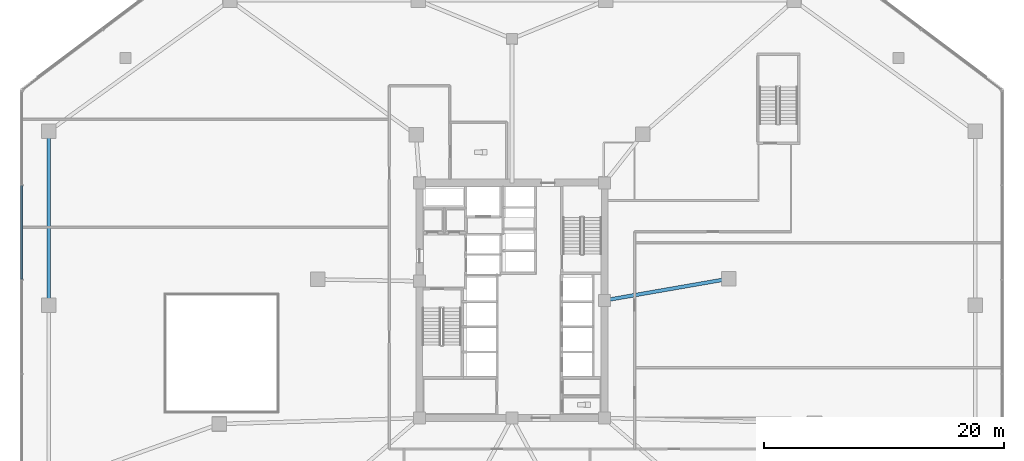
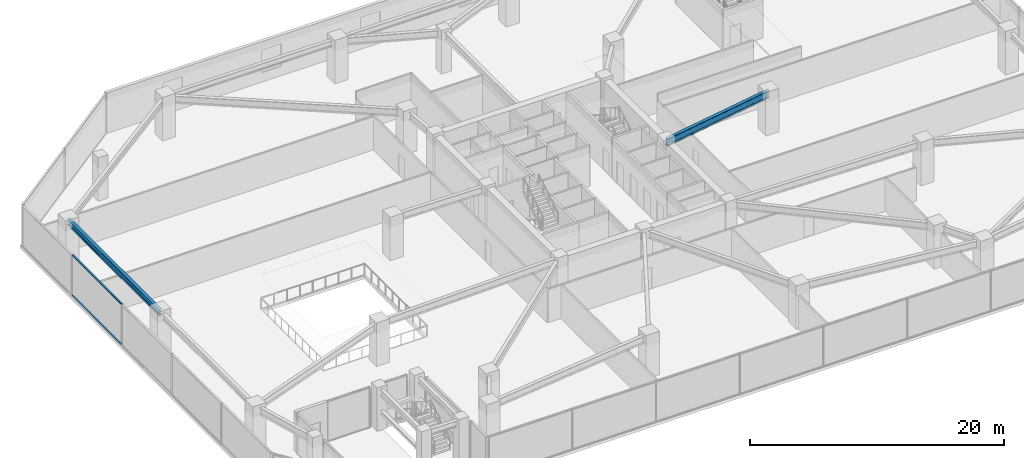
# One storey, part 5 of 22: 2 beams, 2 members, 1 element without a shape of its own.
"""IFC4 building model written with IfcOpenShell, lengths in metres."""

from ifc_helpers import new_model, si_unit, direction, frame, origin, origin_2d, place, context, subcontext, project, spatial, rectangle, i_section, extrude, material, material_profile, profile_set, type_object, element, aggregate, save


model = new_model("IFC4")

# Units and contexts
model_context = context("Model", 3, precision=1e-05, world=origin(), true_north=direction((0.0, 1.0)))
body_context = subcontext(model_context, "Body", "Model", "MODEL_VIEW")
ifc_project = project(units=[si_unit("LENGTHUNIT", "METRE"), si_unit("AREAUNIT", "SQUARE_METRE"), si_unit("VOLUMEUNIT", "CUBIC_METRE"), si_unit("PLANEANGLEUNIT", "RADIAN"), si_unit("MASSUNIT", "GRAM", prefix="KILO")], contexts=[model_context])

# Site, building, storey
site_placement = place(None, origin())
site = spatial("IfcSite", under=ifc_project, at=site_placement, CompositionType="ELEMENT")
building_placement = place(site_placement, origin())
building = spatial("IfcBuilding", under=site, at=building_placement, Name="Savorim Split Tower", CompositionType="ELEMENT")
storey_placement = place(building_placement, frame((0.0, 0.0, 13.39990234375)))
storey = spatial("IfcBuildingStorey", under=building, at=storey_placement, Name="L03", CompositionType="ELEMENT", Elevation=13.39990234375)

# Beams
ifc_material_1 = material(Name="Steel S355", Category="steel")
ifc_material_profile_1 = material_profile(ifc_material_1, i_section(OverallWidth=0.300048828125, OverallDepth=0.699951171875, WebThickness=0.01708984375, FlangeThickness=0.031982421875, FilletRadius=0.027099609375, at=origin_2d()), Name="HEB 700")
ifc_profile_set_1 = profile_set([ifc_material_profile_1], Name="Steel S355")
beam_type_1 = type_object("IfcBeamType", Name="BM-PRI-HEB700", PredefinedType="BEAM", material=ifc_profile_set_1)
beam_1_placement = place(storey_placement, frame((18.049560546875, 2.202392578125, 3.570068359375), z_axis=(-0.985170620197, -0.171577530876, 0.0), x_axis=(0.171577530876, -0.985170620197, 0.0)))
element("IfcBeam", 1, at=beam_1_placement, inside=storey, type_object=beam_type_1, Name="L03 Podium Primary Girder BG-27", PredefinedType="BEAM", context=body_context, shape_type="SweptSolid", body=[
    extrude(i_section(OverallWidth=0.300048828125, OverallDepth=0.699951171875, WebThickness=0.01708984375, FlangeThickness=0.031982421875, FilletRadius=0.027099609375, at=origin_2d()), origin(), (0.0, 0.0, 1.0), 10.50537109375),
])
ifc_material_profile_2 = material_profile(ifc_material_1, i_section(OverallWidth=0.300048828125, OverallDepth=0.590087890625, WebThickness=0.012939453125, FlangeThickness=0.02490234375, FilletRadius=0.027099609375, at=origin_2d()), Name="HEA 600")
ifc_profile_set_2 = profile_set([ifc_material_profile_2], Name="Steel S355")
beam_type_2 = type_object("IfcBeamType", Name="BM-SPN-HEA600", PredefinedType="SPANDREL", material=ifc_profile_set_2)
beam_2_placement = place(storey_placement, frame((-38.60009765625, 14.5, 3.625), z_axis=(0.0, -1.0, 0.0), x_axis=(1.0, 0.0, 0.0)))
element("IfcBeam", 2, at=beam_2_placement, inside=storey, type_object=beam_type_2, Name="L03 Podium Spandrel Beam 10", PredefinedType="SPANDREL", context=body_context, shape_type="SweptSolid", body=[
    extrude(i_section(OverallWidth=0.300048828125, OverallDepth=0.590087890625, WebThickness=0.012939453125, FlangeThickness=0.02490234375, FilletRadius=0.027099609375, at=origin_2d()), origin(), (0.0, 0.0, 1.0), 14.5),
])

# Curtain wall, members
ifc_material_2 = material(Name="Dark Ceramic-Fritted Insulated Glass", Category="glass")
curtain_wall_type = type_object("IfcCurtainWallType", Name="CW-POD-GLZ", PredefinedType="NOTDEFINED", material=ifc_material_2)
curtain_wall_placement = place(storey_placement, origin())
curtain_wall = element("IfcCurtainWall", 3, at=curtain_wall_placement, inside=storey, type_object=curtain_wall_type, Name="L03 Curtain Wall CW-L03-E10", PredefinedType="NOTDEFINED")
ifc_material_3 = material(Name="Charcoal Anodised Aluminium", Category="aluminium")
ifc_material_profile_3 = material_profile(ifc_material_3, rectangle(XDim=0.159912109375, YDim=0.06005859375, at=origin_2d()), Name="ALU-T 160x60")
ifc_profile_set_3 = profile_set([ifc_material_profile_3], Name="Charcoal Anodised Aluminium")
member_type = type_object("IfcMemberType", Name="CWT-160x60", PredefinedType="USERDEFINED", material=ifc_profile_set_3)
member_1_placement = place(storey_placement, frame((-40.840087890625, 9.9609375, 0.030029296875), z_axis=(0.0, -1.0, 0.0), x_axis=(1.0, 0.0, 0.0)))
member_1 = element("IfcMember", 4, at=member_1_placement, type_object=member_type, Name="CW-01 transom 2.1", ObjectType="TRANSOM", PredefinedType="USERDEFINED", context=body_context, shape_type="SweptSolid", body=[
    extrude(rectangle(XDim=0.159912109375, YDim=0.06005859375, at=origin_2d()), origin(), (0.0, 0.0, 1.0), 7.7939453125),
])
member_2_placement = place(storey_placement, frame((-40.840087890625, 9.9609375, 3.89013671875), z_axis=(0.0, -1.0, 0.0), x_axis=(1.0, 0.0, 0.0)))
member_2 = element("IfcMember", 5, at=member_2_placement, type_object=member_type, Name="CW-01 transom 2.2", ObjectType="TRANSOM", PredefinedType="USERDEFINED", context=body_context, shape_type="SweptSolid", body=[
    extrude(rectangle(XDim=0.159912109375, YDim=0.06005859375, at=origin_2d()), origin(), (0.0, 0.0, 1.0), 7.7939453125),
])
aggregate(curtain_wall, [member_1, member_2])

save(model, "model.ifc")
